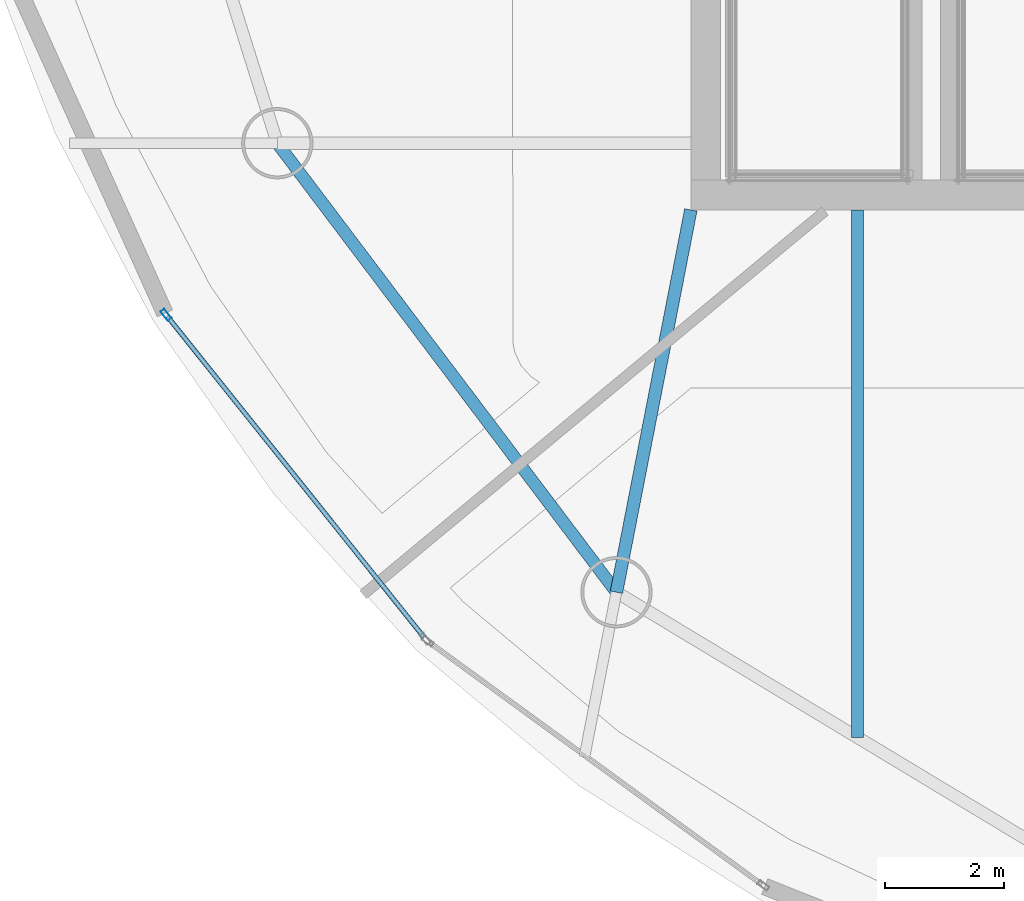
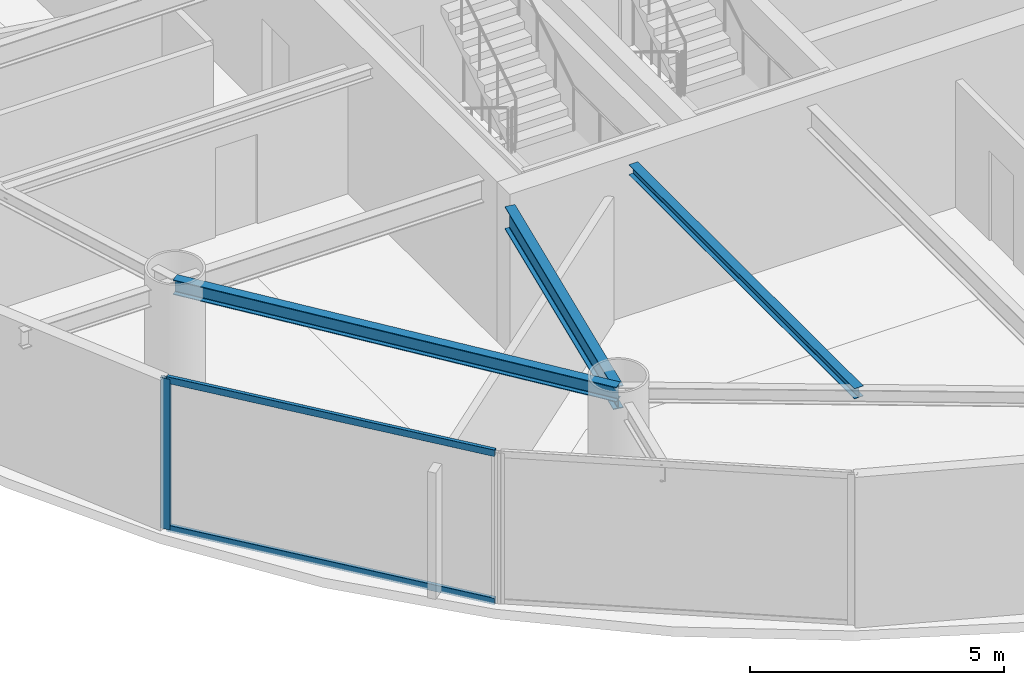
# One storey, part 3 of 18: 3 beams, 3 members, 1 element without a shape of its own.
"""IFC4 building model written with IfcOpenShell, lengths in metres."""

from ifc_helpers import new_model, si_unit, direction, frame, origin, origin_2d, place, context, subcontext, project, spatial, hollow_rectangle, i_section, extrude, material, layer, layer_set, material_profile, profile_set, type_object, element, aggregate, save


model = new_model("IFC4")

# Units and contexts
model_context = context("Model", 3, precision=1e-05, world=origin(), true_north=direction((0.0, 1.0)))
body_context = subcontext(model_context, "Body", "Model", "MODEL_VIEW")
ifc_project = project(units=[si_unit("LENGTHUNIT", "METRE"), si_unit("AREAUNIT", "SQUARE_METRE"), si_unit("VOLUMEUNIT", "CUBIC_METRE"), si_unit("PLANEANGLEUNIT", "RADIAN"), si_unit("MASSUNIT", "GRAM", prefix="KILO")], contexts=[model_context])

# Site, building, storey
site_placement = place(None, origin())
site = spatial("IfcSite", under=ifc_project, at=site_placement, CompositionType="ELEMENT")
building_placement = place(site_placement, origin())
building = spatial("IfcBuilding", under=site, at=building_placement, Name="Bramvorn Convention Spire", CompositionType="ELEMENT")
storey_placement = place(building_placement, frame((0.0, 0.0, 205.85009765625)))
storey = spatial("IfcBuildingStorey", under=building, at=storey_placement, Name="L52", CompositionType="ELEMENT", Elevation=205.85009765625)

# Beams
ifc_material_1 = material(Name="Steel CSA G40.21 Grade 350 (350W)", Category="steel")
ifc_material_profile_1 = material_profile(ifc_material_1, i_section(OverallWidth=0.201904296875, OverallDepth=0.2470703125, WebThickness=0.00732421875, FlangeThickness=0.010986328125, FilletRadius=0.011962890625, at=origin_2d()))
ifc_profile_set_1 = profile_set([ifc_material_profile_1], Name="Steel CSA G40.21 Grade 350 (350W) - W250X49")
beam_type_1 = type_object("IfcBeamType", Name="BM-W250X49", PredefinedType="JOIST", material=ifc_profile_set_1)
beam_1_placement = place(storey_placement, frame((29.554443359375, 18.550048828125, 3.496337890625), z_axis=(0.0, -1.0, 0.0), x_axis=(1.0, 0.0, 0.0)))
element("IfcBeam", 1, at=beam_1_placement, inside=storey, type_object=beam_type_1, Name="L52 composite floor joist 13", PredefinedType="JOIST", context=body_context, shape_type="SweptSolid", body=[
    extrude(i_section(OverallWidth=0.201904296875, OverallDepth=0.2470703125, WebThickness=0.00732421875, FlangeThickness=0.010986328125, FilletRadius=0.011962890625, at=origin_2d()), origin(), (0.0, 0.0, 1.0), 8.878662109375),
])
ifc_material_profile_2 = material_profile(ifc_material_1, i_section(OverallWidth=0.205078125, OverallDepth=0.35400390625, WebThickness=0.009521484375, FlangeThickness=0.016845703125, FilletRadius=0.014892578125, at=origin_2d()))
ifc_profile_set_2 = profile_set([ifc_material_profile_2], Name="Steel CSA G40.21 Grade 350 (350W) - W360X79")
beam_type_2 = type_object("IfcBeamType", Name="BM-W360X79", PredefinedType="JOIST", material=ifc_profile_set_2)
beam_2_placement = place(storey_placement, frame((19.78955078125, 19.672607421875, 3.44287109375), z_axis=(0.602718581414, -0.797953827999, 0.0), x_axis=(0.797953827999, 0.602718581414, 0.0)))
element("IfcBeam", 2, at=beam_2_placement, inside=storey, type_object=beam_type_2, Name="L52 mega-column ring beam 12", PredefinedType="JOIST", context=body_context, shape_type="SweptSolid", body=[
    extrude(i_section(OverallWidth=0.205078125, OverallDepth=0.35400390625, WebThickness=0.009521484375, FlangeThickness=0.016845703125, FilletRadius=0.014892578125, at=origin_2d()), origin(), (0.0, 0.0, 1.0), 9.47119140625),
])
ifc_material_profile_3 = material_profile(ifc_material_1, i_section(OverallWidth=0.2119140625, OverallDepth=0.5439453125, WebThickness=0.01318359375, FlangeThickness=0.021240234375, FilletRadius=0.01904296875, at=origin_2d()))
ifc_profile_set_3 = profile_set([ifc_material_profile_3], Name="Steel CSA G40.21 Grade 350 (350W) - W530X123")
beam_type_3 = type_object("IfcBeamType", Name="BM-W530X123", PredefinedType="BEAM", material=ifc_profile_set_3)
beam_3_placement = place(storey_placement, frame((26.75, 18.550048828125, 3.31298828125), z_axis=(-0.190971329886, -0.981595614885, 0.0), x_axis=(0.981595614885, -0.190971329886, 0.0)))
element("IfcBeam", 3, at=beam_3_placement, inside=storey, type_object=beam_type_3, Name="L52 Sky-Garden back-span radial girder MC13", PredefinedType="BEAM", context=body_context, shape_type="SweptSolid", body=[
    extrude(i_section(OverallWidth=0.2119140625, OverallDepth=0.5439453125, WebThickness=0.01318359375, FlangeThickness=0.021240234375, FilletRadius=0.01904296875, at=origin_2d()), origin(), (0.0, 0.0, 1.0), 6.5556640625),
])

# Curtain wall, members
ifc_material_2 = material(Name="Anodised Bronze Unitised Curtain Wall", Category="aluminium")
ifc_layer = layer(ifc_material_2, 0.179931640625)
ifc_layer_set = layer_set([ifc_layer], Name="Anodised Bronze Unitised Curtain Wall - CW-OFF-FRIT")
curtain_wall_type = type_object("IfcCurtainWallType", Name="CW-OFF-FRIT", PredefinedType="USERDEFINED", material=ifc_layer_set)
curtain_wall_placement = place(storey_placement, origin())
curtain_wall = element("IfcCurtainWall", 4, at=curtain_wall_placement, inside=storey, type_object=curtain_wall_type, Name="L52 fritted glass curtain wall 18", ObjectType="UNITISED CURTAIN WALL", PredefinedType="USERDEFINED")
ifc_material_3 = material(Name="Anodised Bronze Aluminium 6063-T6", Category="aluminium")
ifc_material_profile_4 = material_profile(ifc_material_3, hollow_rectangle(XDim=0.080078125, YDim=0.199951171875, WallThickness=0.00390625, InnerFilletRadius=0.0009765625, OuterFilletRadius=0.00390625, at=origin_2d()))
ifc_profile_set_4 = profile_set([ifc_material_profile_4], Name="Anodised Bronze Aluminium 6063-T6 - CWM80X200")
member_type_1 = type_object("IfcMemberType", Name="CW-MUL-180", PredefinedType="MULLION", material=ifc_profile_set_4)
member_1_placement = place(storey_placement, frame((17.916748046875, 16.785400390625, 0.0), z_axis=(0.0, 0.0, 1.0), x_axis=(-0.780929733084, -0.624618885389, 0.0)))
member_1 = element("IfcMember", 5, at=member_1_placement, type_object=member_type_1, Name="CW3 mullion 2", PredefinedType="MULLION", context=body_context, shape_type="SweptSolid", body=[
    extrude(hollow_rectangle(XDim=0.080078125, YDim=0.199951171875, WallThickness=0.00390625, InnerFilletRadius=0.0009765625, OuterFilletRadius=0.00390625, at=origin_2d()), origin(), (0.0, 0.0, 1.0), 3.619873046875),
])
ifc_material_profile_5 = material_profile(ifc_material_3, hollow_rectangle(XDim=0.080078125, YDim=0.159912109375, WallThickness=0.00390625, InnerFilletRadius=0.0009765625, OuterFilletRadius=0.00390625, at=origin_2d()))
ifc_profile_set_5 = profile_set([ifc_material_profile_5], Name="Anodised Bronze Aluminium 6063-T6 - CWT80X160")
member_type_2 = type_object("IfcMemberType", Name="CW-TRN-150", PredefinedType="USERDEFINED", material=ifc_profile_set_5)
member_2_placement = place(storey_placement, frame((22.261474609375, 11.353515625, 0.02978515625), z_axis=(-0.624621962366, 0.780927271985, 0.0), x_axis=(-0.780927271985, -0.624621962366, 0.0)))
member_2 = element("IfcMember", 6, at=member_2_placement, type_object=member_type_2, Name="CW3 transom 1.1", ObjectType="TRANSOM", PredefinedType="USERDEFINED", context=body_context, shape_type="SweptSolid", body=[
    extrude(hollow_rectangle(XDim=0.080078125, YDim=0.159912109375, WallThickness=0.00390625, InnerFilletRadius=0.0009765625, OuterFilletRadius=0.00390625, at=origin_2d()), origin(), (0.0, 0.0, 1.0), 6.92578125),
])
member_3_placement = place(storey_placement, frame((22.261474609375, 11.353515625, 3.58984375), z_axis=(-0.624621962366, 0.780927271985, 0.0), x_axis=(-0.780927271985, -0.624621962366, 0.0)))
member_3 = element("IfcMember", 7, at=member_3_placement, type_object=member_type_2, Name="CW3 transom 1.2", ObjectType="TRANSOM", PredefinedType="USERDEFINED", context=body_context, shape_type="SweptSolid", body=[
    extrude(hollow_rectangle(XDim=0.080078125, YDim=0.159912109375, WallThickness=0.00390625, InnerFilletRadius=0.0009765625, OuterFilletRadius=0.00390625, at=origin_2d()), origin(), (0.0, 0.0, 1.0), 6.92578125),
])
aggregate(curtain_wall, [member_1, member_2, member_3])

save(model, "model.ifc")
